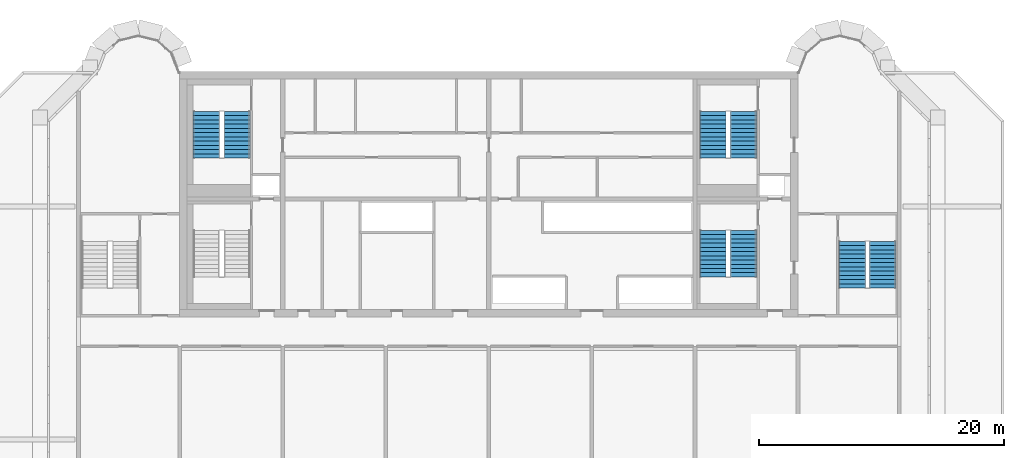
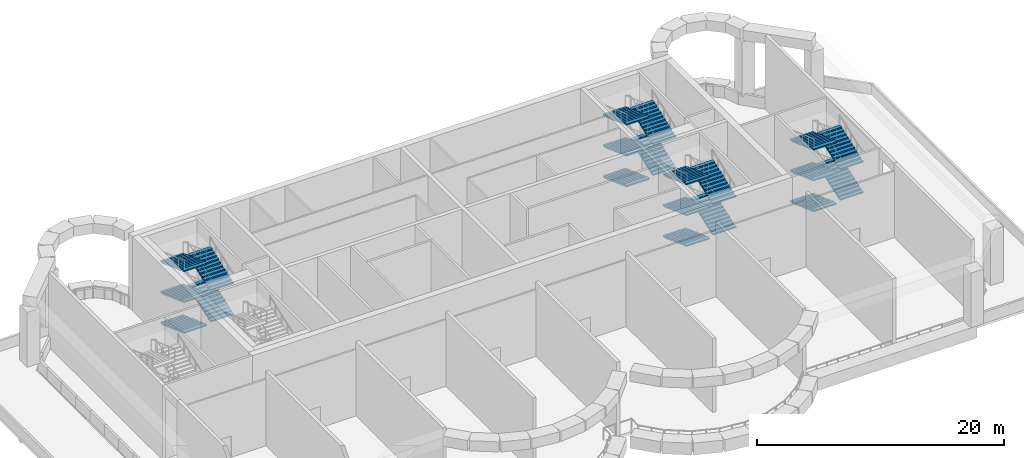
# One storey, part 6 of 11: 20 stair flights, 4 elements without a shape of their own.
"""IFC4 building model written with IfcOpenShell, lengths in metres."""

import ifcopenshell
import ifcopenshell.guid

model = None  # the IFC model being written
_history = None  # IfcOwnerHistory: only IFC2X3 demands one
_inside = {}  # id of a spatial element -> (the spatial element, [elements in it])
_under = {}  # id of a project, library or spatial element -> (it, [spatial elements below it])
_declared = {}  # id of a project -> (the project, [libraries it declares])
_typed = {}  # id of a type object -> (the type object, [elements of that type])
_made_of = {}  # id of a material, layer set ... -> (it, [elements and type objects made of it])


def new_model(schema):
    """Start an empty IFC model of exactly this schema.

    Asked for "IFC4X3", IfcOpenShell would pick the latest addendum, in which some entities
    have other attributes; the version numbers below select the first issue.
    IFC2X3 requires an IfcOwnerHistory on every rooted entity: one is made here for all.
    """
    global model, _history
    if schema == "IFC4X3":
        model = ifcopenshell.file(schema_version=(4, 3, 0, 0))
    else:
        model = ifcopenshell.file(schema=schema)
    _inside.clear()
    _under.clear()
    _declared.clear()
    _typed.clear()
    _made_of.clear()
    _history = None
    if model.schema == "IFC2X3":
        org = make("IfcOrganization", Name="unknown")
        user = make(
            "IfcPersonAndOrganization",
            ThePerson=make("IfcPerson", FamilyName="unknown"),
            TheOrganization=org,
        )
        app = make(
            "IfcApplication",
            ApplicationDeveloper=org,
            Version="unknown",
            ApplicationFullName="unknown",
            ApplicationIdentifier="unknown",
        )
        _history = make(
            "IfcOwnerHistory",
            OwningUser=user,
            OwningApplication=app,
            ChangeAction="ADDED",
            CreationDate=0,
        )
    return model


def make(cls, **values):
    """One entity of the class cls with the attributes given. An attribute that is None is left unset."""
    return model.create_entity(
        cls, **{name: value for name, value in values.items() if value is not None}
    )


def rooted(cls, **values):
    """An entity with a GlobalId (a new one), such as an element, a storey or a relation."""
    return make(cls, GlobalId=ifcopenshell.guid.new(), OwnerHistory=_history, **values)


def si_unit(unit_type, name, prefix=None):
    """IfcSIUnit, for example si_unit("LENGTHUNIT", "METRE", prefix="MILLI")."""
    return make("IfcSIUnit", UnitType=unit_type, Prefix=prefix, Name=name)


def assignment(units):
    """IfcUnitAssignment: the units of a project."""
    return None if units is None else make("IfcUnitAssignment", Units=units)


def point(xyz):
    """IfcCartesianPoint."""
    return None if xyz is None else make("IfcCartesianPoint", Coordinates=xyz)


def direction(xyz):
    """IfcDirection."""
    return None if xyz is None else make("IfcDirection", DirectionRatios=xyz)


def frame(location, z_axis=None, x_axis=None):
    """IfcAxis2Placement3D, a coordinate frame: its origin and axes. An axis left out is left unset."""
    return make(
        "IfcAxis2Placement3D",
        Location=point(location),
        Axis=direction(z_axis),
        RefDirection=direction(x_axis),
    )


def origin():
    """The frame at (0, 0, 0) with its axes left unset."""
    return frame((0.0, 0.0, 0.0))


def place(relative_to, where):
    """IfcLocalPlacement: puts the frame where relative to a parent placement (None: the world)."""
    return make(
        "IfcLocalPlacement", PlacementRelTo=relative_to, RelativePlacement=where
    )


def context(
    kind, dimensions, precision=None, world=None, true_north=None, identifier=None
):
    """IfcGeometricRepresentationContext, for example the 3D "Model" context."""
    return make(
        "IfcGeometricRepresentationContext",
        ContextIdentifier=identifier,
        ContextType=kind,
        CoordinateSpaceDimension=dimensions,
        Precision=precision,
        WorldCoordinateSystem=world,
        TrueNorth=true_north,
    )


def subcontext(parent, identifier, kind, view, scale=None):
    """IfcGeometricRepresentationSubContext, for example "Body" below "Model"."""
    return make(
        "IfcGeometricRepresentationSubContext",
        ContextIdentifier=identifier,
        ContextType=kind,
        ParentContext=parent,
        TargetScale=scale,
        TargetView=view,
    )


def project(units=None, contexts=None):
    """IfcProject with its units and contexts."""
    return rooted(
        "IfcProject",
        Name="project",
        RepresentationContexts=contexts,
        UnitsInContext=assignment(units),
    )


def spatial(cls, under=None, at=None, **own):
    """A site, building, storey or space (cls), placed at a placement, below another one or the project."""
    s = rooted(cls, ObjectPlacement=at, **own)
    if under is not None:
        _under.setdefault(under.id(), (under, []))[1].append(s)
    return s


def polyline(points):
    """IfcPolyline through the points."""
    return make("IfcPolyline", Points=[point(p) for p in points])


def outline(outer, holes=None, kind="AREA"):
    """IfcArbitraryClosedProfileDef: a profile drawn as a closed curve; with holes, ...WithVoids."""
    if holes is None:
        return make("IfcArbitraryClosedProfileDef", ProfileType=kind, OuterCurve=outer)
    return make(
        "IfcArbitraryProfileDefWithVoids",
        ProfileType=kind,
        OuterCurve=outer,
        InnerCurves=holes,
    )


def extrude(swept, where, along, depth):
    """IfcExtrudedAreaSolid: the profile swept, set in the frame where, extruded along a direction by depth."""
    return make(
        "IfcExtrudedAreaSolid",
        SweptArea=swept,
        Position=where,
        ExtrudedDirection=direction(along),
        Depth=depth,
    )


def shape(context_of_items, identifier, shape_type, items):
    """IfcShapeRepresentation: the items that make up one representation, for example the "Body"."""
    return make(
        "IfcShapeRepresentation",
        ContextOfItems=context_of_items,
        RepresentationIdentifier=identifier,
        RepresentationType=shape_type,
        Items=items,
    )


def source(mapping_origin, context_of_items, identifier, shape_type, items):
    """IfcRepresentationMap: a shape defined once, which mapped items show again and again."""
    return make(
        "IfcRepresentationMap",
        MappingOrigin=mapping_origin,
        MappedRepresentation=shape(context_of_items, identifier, shape_type, items),
    )


def transform(
    local_origin,
    x_axis=None,
    y_axis=None,
    z_axis=None,
    scale=None,
    scale2=None,
    scale3=None,
    uniform=True,
):
    """IfcCartesianTransformationOperator3D, or its non-uniform kind. x_axis, y_axis, z_axis: its Axis1, 2, 3."""
    if uniform:
        return make(
            "IfcCartesianTransformationOperator3D",
            Axis1=direction(x_axis),
            Axis2=direction(y_axis),
            LocalOrigin=point(local_origin),
            Scale=scale,
            Axis3=direction(z_axis),
        )
    return make(
        "IfcCartesianTransformationOperator3DnonUniform",
        Axis1=direction(x_axis),
        Axis2=direction(y_axis),
        LocalOrigin=point(local_origin),
        Scale=scale,
        Axis3=direction(z_axis),
        Scale2=scale2,
        Scale3=scale3,
    )


def mapped(mapping_source, mapping_target):
    """IfcMappedItem: shows the shape of a source again, moved by a transform."""
    return make(
        "IfcMappedItem", MappingSource=mapping_source, MappingTarget=mapping_target
    )


def material(Name=None, Category=None):
    """IfcMaterial."""
    return make("IfcMaterial", Name=Name, Category=Category)


def made_of(thing, what):
    """Note that an element or type object is made of a material, layer set ...; save() writes the relation."""
    if what is not None:
        _made_of.setdefault(what.id(), (what, []))[1].append(thing)
    return thing


def type_object(cls, material=None, **own):
    """A type object (cls), such as IfcWallType, which elements share."""
    return made_of(rooted(cls, **own), material)


def element(
    cls,
    number,
    at=None,
    inside=None,
    cuts=None,
    type_object=None,
    material=None,
    context=None,
    identifier="Body",
    shape_type=None,
    held_by="IfcProductDefinitionShape",
    body=None,
    shapes=None,
    **own,
):
    """One element of the class cls, such as IfcWall. Its Tag is "e" and its number.

    at: its placement. inside: the storey or other place that contains it. cuts: it is an
    opening in that element (IfcRelVoidsElement). A single representation is given by context,
    identifier, shape_type and body (its items); several are given by shapes. held_by: the class
    of the entity that holds the representations. save() writes the other relations.
    """
    e = rooted(cls, Tag="e%d" % number, ObjectPlacement=at, **own)
    if body is not None:
        shapes = [shape(context, identifier, shape_type, body)]
    if shapes is not None:
        e.Representation = make(held_by, Representations=shapes)
    if inside is not None:
        _inside.setdefault(inside.id(), (inside, []))[1].append(e)
    if cuts is not None:
        rooted(
            "IfcRelVoidsElement", RelatingBuildingElement=cuts, RelatedOpeningElement=e
        )
    if type_object is not None:
        _typed.setdefault(type_object.id(), (type_object, []))[1].append(e)
    return made_of(e, material)


def aggregate(whole, parts):
    """IfcRelAggregates: a whole, such as a stair, and the parts it consists of."""
    return rooted("IfcRelAggregates", RelatingObject=whole, RelatedObjects=parts)


def save(model, path):
    """Write the relations noted so far, then the file.

    IfcRelAggregates (storeys below a building ...), IfcRelContainedInSpatialStructure (elements
    in a storey), IfcRelDefinesByType, IfcRelAssociatesMaterial and IfcRelDeclares: one each for
    every whole, place, type object, material and project.
    """
    for whole, parts in _under.values():
        aggregate(whole, parts)
    for where, things in _inside.values():
        rooted(
            "IfcRelContainedInSpatialStructure",
            RelatedElements=things,
            RelatingStructure=where,
        )
    for kind, things in _typed.values():
        rooted("IfcRelDefinesByType", RelatedObjects=things, RelatingType=kind)
    for what, things in _made_of.values():
        rooted("IfcRelAssociatesMaterial", RelatedObjects=things, RelatingMaterial=what)
    for by, libraries in _declared.values():
        rooted("IfcRelDeclares", RelatingContext=by, RelatedDefinitions=libraries)
    model.write(path)


model = new_model("IFC4")

# Units and contexts
model_context = context("Model", 3, precision=1e-05, world=origin(), true_north=direction((0.0, 1.0)))
body_context = subcontext(model_context, "Body", "Model", "MODEL_VIEW")
ifc_project = project(units=[si_unit("LENGTHUNIT", "METRE"), si_unit("AREAUNIT", "SQUARE_METRE"), si_unit("VOLUMEUNIT", "CUBIC_METRE"), si_unit("PLANEANGLEUNIT", "RADIAN"), si_unit("MASSUNIT", "GRAM", prefix="KILO")], contexts=[model_context])

# Site, building, storey
site_placement = place(None, origin())
site = spatial("IfcSite", under=ifc_project, at=site_placement, CompositionType="ELEMENT")
building_placement = place(site_placement, origin())
building = spatial("IfcBuilding", under=site, at=building_placement, Name="Vanashikhar Sky Hotel", CompositionType="ELEMENT")
storey_placement = place(building_placement, frame((0.0, 0.0, 206.39990234375)))
storey = spatial("IfcBuildingStorey", under=building, at=storey_placement, Name="L50", CompositionType="ELEMENT", Elevation=206.39990234375)

# Stair, stair flights
ifc_material = material(Name="Concrete M40", Category="concrete")
stair_type = type_object("IfcStairType", Name="Exit stair 2150", PredefinedType="DOUBLE_RETURN_STAIR", material=ifc_material)
stair_1_placement = place(storey_placement, origin())
stair_1 = element("IfcStair", 1, at=stair_1_placement, inside=storey, type_object=stair_type, Name="L50 Exit stair 2", PredefinedType="DOUBLE_RETURN_STAIR")
stair_flight_type = type_object("IfcStairFlightType", Name="Stair flight 2150", PredefinedType="STRAIGHT", material=ifc_material)
shared_shape = source(origin(), body_context, "Body", "SweptSolid", [
    extrude(outline(polyline([(0.0, 0.0), (0.0, 0.126708984375), (0.345458984375, 0.126708984375), (0.345458984375, 0.25341796875), (0.69091796875, 0.25341796875), (0.69091796875, 0.3798828125), (1.036376953125, 0.3798828125), (1.036376953125, 0.506591796875), (1.3818359375, 0.506591796875), (1.3818359375, 0.63330078125), (1.727294921875, 0.63330078125), (1.727294921875, 0.760009765625), (2.07275390625, 0.760009765625), (2.07275390625, 0.88671875), (2.418212890625, 0.88671875), (2.418212890625, 1.013427734375), (2.763671875, 1.013427734375), (2.763671875, 1.139892578125), (3.109130859375, 1.139892578125), (3.109130859375, 1.2666015625), (3.45458984375, 1.2666015625), (3.45458984375, 1.393310546875), (3.800048828125, 1.393310546875), (3.800048828125, 1.52001953125), (3.800048828125, 1.265380859375), (0.348876953125, 0.0), (0.0, 0.0)])), frame((0.0, 1.074951171875, 0.0), z_axis=(0.0, -1.0, 0.0), x_axis=(1.0, 0.0, 0.0)), (0.0, 0.0, 1.0), 2.14990234375),
])
stair_flight_1_placement = place(storey_placement, frame((68.675048828125, 29.050048828125, 0.0), z_axis=(0.0, 0.0, 1.0), x_axis=(0.0, -1.0, 0.0)))
stair_flight_1 = element("IfcStairFlight", 2, at=stair_flight_1_placement, type_object=stair_flight_type, Name="ST-C2 flight 1", NumberOfRisers=12, NumberOfTreads=11, PredefinedType="STRAIGHT", RiserHeight=0.126666667, TreadLength=0.345454545, context=body_context, shape_type="MappedRepresentation", body=[
    mapped(shared_shape, transform((0.0, 0.0, 0.0), scale=1.0)),
])
stair_flight_2_placement = place(storey_placement, frame((71.175048828125, 25.25, 1.52001953125), z_axis=(0.0, 0.0, 1.0), x_axis=(0.0, 1.0, 0.0)))
stair_flight_2 = element("IfcStairFlight", 3, at=stair_flight_2_placement, type_object=stair_flight_type, Name="ST-C2 flight 2", NumberOfRisers=12, NumberOfTreads=11, PredefinedType="STRAIGHT", RiserHeight=0.126666667, TreadLength=0.345454545, context=body_context, shape_type="MappedRepresentation", body=[
    mapped(shared_shape, transform((0.0, 0.0, 0.0), scale=1.0)),
])
stair_flight_3_placement = place(storey_placement, frame((68.675048828125, 29.050048828125, 3.0400390625), z_axis=(0.0, 0.0, 1.0), x_axis=(0.0, -1.0, 0.0)))
stair_flight_3 = element("IfcStairFlight", 4, at=stair_flight_3_placement, type_object=stair_flight_type, Name="ST-C2 flight 3", NumberOfRisers=12, NumberOfTreads=11, PredefinedType="STRAIGHT", RiserHeight=0.126666667, TreadLength=0.345454545, context=body_context, shape_type="MappedRepresentation", body=[
    mapped(shared_shape, transform((0.0, 0.0, 0.0), scale=1.0)),
])
stair_flight_4_placement = place(storey_placement, frame((71.175048828125, 25.25, 4.56005859375), z_axis=(0.0, 0.0, 1.0), x_axis=(0.0, 1.0, 0.0)))
stair_flight_4 = element("IfcStairFlight", 5, at=stair_flight_4_placement, type_object=stair_flight_type, Name="ST-C2 flight 4", NumberOfRisers=12, NumberOfTreads=11, PredefinedType="STRAIGHT", RiserHeight=0.126666667, TreadLength=0.345454545, context=body_context, shape_type="MappedRepresentation", body=[
    mapped(shared_shape, transform((0.0, 0.0, 0.0), scale=1.0)),
])
stair_flight_5_placement = place(storey_placement, frame((68.675048828125, 29.050048828125, 6.080078125), z_axis=(0.0, 0.0, 1.0), x_axis=(0.0, -1.0, 0.0)))
stair_flight_5 = element("IfcStairFlight", 6, at=stair_flight_5_placement, type_object=stair_flight_type, Name="ST-C2 flight 5", NumberOfRisers=12, NumberOfTreads=11, PredefinedType="STRAIGHT", RiserHeight=0.126666667, TreadLength=0.345454545, context=body_context, shape_type="MappedRepresentation", body=[
    mapped(shared_shape, transform((0.0, 0.0, 0.0), scale=1.0)),
])
aggregate(stair_1, [stair_flight_1, stair_flight_2, stair_flight_3, stair_flight_4, stair_flight_5])

stair_2_placement = place(storey_placement, origin())
stair_2 = element("IfcStair", 7, at=stair_2_placement, inside=storey, type_object=stair_type, Name="L50 Exit stair 4", PredefinedType="DOUBLE_RETURN_STAIR")
stair_flight_6_placement = place(storey_placement, frame((80.02490234375, 28.14990234375, 0.0), z_axis=(0.0, 0.0, 1.0), x_axis=(0.0, -1.0, 0.0)))
stair_flight_6 = element("IfcStairFlight", 8, at=stair_flight_6_placement, type_object=stair_flight_type, Name="ST-E flight 1", NumberOfRisers=12, NumberOfTreads=11, PredefinedType="STRAIGHT", RiserHeight=0.126666667, TreadLength=0.345454545, context=body_context, shape_type="MappedRepresentation", body=[
    mapped(shared_shape, transform((0.0, 0.0, 0.0), scale=1.0)),
])
stair_flight_7_placement = place(storey_placement, frame((82.52490234375, 24.35009765625, 1.52001953125), z_axis=(0.0, 0.0, 1.0), x_axis=(0.0, 1.0, 0.0)))
stair_flight_7 = element("IfcStairFlight", 9, at=stair_flight_7_placement, type_object=stair_flight_type, Name="ST-E flight 2", NumberOfRisers=12, NumberOfTreads=11, PredefinedType="STRAIGHT", RiserHeight=0.126666667, TreadLength=0.345454545, context=body_context, shape_type="MappedRepresentation", body=[
    mapped(shared_shape, transform((0.0, 0.0, 0.0), scale=1.0)),
])
stair_flight_8_placement = place(storey_placement, frame((80.02490234375, 28.14990234375, 3.0400390625), z_axis=(0.0, 0.0, 1.0), x_axis=(0.0, -1.0, 0.0)))
stair_flight_8 = element("IfcStairFlight", 10, at=stair_flight_8_placement, type_object=stair_flight_type, Name="ST-E flight 3", NumberOfRisers=12, NumberOfTreads=11, PredefinedType="STRAIGHT", RiserHeight=0.126666667, TreadLength=0.345454545, context=body_context, shape_type="MappedRepresentation", body=[
    mapped(shared_shape, transform((0.0, 0.0, 0.0), scale=1.0)),
])
stair_flight_9_placement = place(storey_placement, frame((82.52490234375, 24.35009765625, 4.56005859375), z_axis=(0.0, 0.0, 1.0), x_axis=(0.0, 1.0, 0.0)))
stair_flight_9 = element("IfcStairFlight", 11, at=stair_flight_9_placement, type_object=stair_flight_type, Name="ST-E flight 4", NumberOfRisers=12, NumberOfTreads=11, PredefinedType="STRAIGHT", RiserHeight=0.126666667, TreadLength=0.345454545, context=body_context, shape_type="MappedRepresentation", body=[
    mapped(shared_shape, transform((0.0, 0.0, 0.0), scale=1.0)),
])
stair_flight_10_placement = place(storey_placement, frame((80.02490234375, 28.14990234375, 6.080078125), z_axis=(0.0, 0.0, 1.0), x_axis=(0.0, -1.0, 0.0)))
stair_flight_10 = element("IfcStairFlight", 12, at=stair_flight_10_placement, type_object=stair_flight_type, Name="ST-E flight 5", NumberOfRisers=12, NumberOfTreads=11, PredefinedType="STRAIGHT", RiserHeight=0.126666667, TreadLength=0.345454545, context=body_context, shape_type="MappedRepresentation", body=[
    mapped(shared_shape, transform((0.0, 0.0, 0.0), scale=1.0)),
])
aggregate(stair_2, [stair_flight_6, stair_flight_7, stair_flight_8, stair_flight_9, stair_flight_10])

stair_3_placement = place(storey_placement, origin())
stair_3 = element("IfcStair", 13, at=stair_3_placement, inside=storey, type_object=stair_type, Name="L50 Exit stair 5", PredefinedType="DOUBLE_RETURN_STAIR")
stair_flight_11_placement = place(storey_placement, frame((27.375, 38.75, 0.0), z_axis=(0.0, 0.0, 1.0), x_axis=(0.0, -1.0, 0.0)))
stair_flight_11 = element("IfcStairFlight", 14, at=stair_flight_11_placement, type_object=stair_flight_type, Name="ST-C3 flight 1", NumberOfRisers=12, NumberOfTreads=11, PredefinedType="STRAIGHT", RiserHeight=0.126666667, TreadLength=0.345454545, context=body_context, shape_type="MappedRepresentation", body=[
    mapped(shared_shape, transform((0.0, 0.0, 0.0), scale=1.0)),
])
stair_flight_12_placement = place(storey_placement, frame((29.875, 34.949951171875, 1.52001953125), z_axis=(0.0, 0.0, 1.0), x_axis=(0.0, 1.0, 0.0)))
stair_flight_12 = element("IfcStairFlight", 15, at=stair_flight_12_placement, type_object=stair_flight_type, Name="ST-C3 flight 2", NumberOfRisers=12, NumberOfTreads=11, PredefinedType="STRAIGHT", RiserHeight=0.126666667, TreadLength=0.345454545, context=body_context, shape_type="MappedRepresentation", body=[
    mapped(shared_shape, transform((0.0, 0.0, 0.0), scale=1.0)),
])
stair_flight_13_placement = place(storey_placement, frame((27.375, 38.75, 3.0400390625), z_axis=(0.0, 0.0, 1.0), x_axis=(0.0, -1.0, 0.0)))
stair_flight_13 = element("IfcStairFlight", 16, at=stair_flight_13_placement, type_object=stair_flight_type, Name="ST-C3 flight 3", NumberOfRisers=12, NumberOfTreads=11, PredefinedType="STRAIGHT", RiserHeight=0.126666667, TreadLength=0.345454545, context=body_context, shape_type="MappedRepresentation", body=[
    mapped(shared_shape, transform((0.0, 0.0, 0.0), scale=1.0)),
])
stair_flight_14_placement = place(storey_placement, frame((29.875, 34.949951171875, 4.56005859375), z_axis=(0.0, 0.0, 1.0), x_axis=(0.0, 1.0, 0.0)))
stair_flight_14 = element("IfcStairFlight", 17, at=stair_flight_14_placement, type_object=stair_flight_type, Name="ST-C3 flight 4", NumberOfRisers=12, NumberOfTreads=11, PredefinedType="STRAIGHT", RiserHeight=0.126666667, TreadLength=0.345454545, context=body_context, shape_type="MappedRepresentation", body=[
    mapped(shared_shape, transform((0.0, 0.0, 0.0), scale=1.0)),
])
stair_flight_15_placement = place(storey_placement, frame((27.375, 38.75, 6.080078125), z_axis=(0.0, 0.0, 1.0), x_axis=(0.0, -1.0, 0.0)))
stair_flight_15 = element("IfcStairFlight", 18, at=stair_flight_15_placement, type_object=stair_flight_type, Name="ST-C3 flight 5", NumberOfRisers=12, NumberOfTreads=11, PredefinedType="STRAIGHT", RiserHeight=0.126666667, TreadLength=0.345454545, context=body_context, shape_type="MappedRepresentation", body=[
    mapped(shared_shape, transform((0.0, 0.0, 0.0), scale=1.0)),
])
aggregate(stair_3, [stair_flight_11, stair_flight_12, stair_flight_13, stair_flight_14, stair_flight_15])

stair_4_placement = place(storey_placement, origin())
stair_4 = element("IfcStair", 19, at=stair_4_placement, inside=storey, type_object=stair_type, Name="L50 Exit stair 6", PredefinedType="DOUBLE_RETURN_STAIR")
stair_flight_16_placement = place(storey_placement, frame((68.675048828125, 38.75, 0.0), z_axis=(0.0, 0.0, 1.0), x_axis=(0.0, -1.0, 0.0)))
stair_flight_16 = element("IfcStairFlight", 20, at=stair_flight_16_placement, type_object=stair_flight_type, Name="ST-C4 flight 1", NumberOfRisers=12, NumberOfTreads=11, PredefinedType="STRAIGHT", RiserHeight=0.126666667, TreadLength=0.345454545, context=body_context, shape_type="MappedRepresentation", body=[
    mapped(shared_shape, transform((0.0, 0.0, 0.0), scale=1.0)),
])
stair_flight_17_placement = place(storey_placement, frame((71.175048828125, 34.949951171875, 1.52001953125), z_axis=(0.0, 0.0, 1.0), x_axis=(0.0, 1.0, 0.0)))
stair_flight_17 = element("IfcStairFlight", 21, at=stair_flight_17_placement, type_object=stair_flight_type, Name="ST-C4 flight 2", NumberOfRisers=12, NumberOfTreads=11, PredefinedType="STRAIGHT", RiserHeight=0.126666667, TreadLength=0.345454545, context=body_context, shape_type="MappedRepresentation", body=[
    mapped(shared_shape, transform((0.0, 0.0, 0.0), scale=1.0)),
])
stair_flight_18_placement = place(storey_placement, frame((68.675048828125, 38.75, 3.0400390625), z_axis=(0.0, 0.0, 1.0), x_axis=(0.0, -1.0, 0.0)))
stair_flight_18 = element("IfcStairFlight", 22, at=stair_flight_18_placement, type_object=stair_flight_type, Name="ST-C4 flight 3", NumberOfRisers=12, NumberOfTreads=11, PredefinedType="STRAIGHT", RiserHeight=0.126666667, TreadLength=0.345454545, context=body_context, shape_type="MappedRepresentation", body=[
    mapped(shared_shape, transform((0.0, 0.0, 0.0), scale=1.0)),
])
stair_flight_19_placement = place(storey_placement, frame((71.175048828125, 34.949951171875, 4.56005859375), z_axis=(0.0, 0.0, 1.0), x_axis=(0.0, 1.0, 0.0)))
stair_flight_19 = element("IfcStairFlight", 23, at=stair_flight_19_placement, type_object=stair_flight_type, Name="ST-C4 flight 4", NumberOfRisers=12, NumberOfTreads=11, PredefinedType="STRAIGHT", RiserHeight=0.126666667, TreadLength=0.345454545, context=body_context, shape_type="MappedRepresentation", body=[
    mapped(shared_shape, transform((0.0, 0.0, 0.0), scale=1.0)),
])
stair_flight_20_placement = place(storey_placement, frame((68.675048828125, 38.75, 6.080078125), z_axis=(0.0, 0.0, 1.0), x_axis=(0.0, -1.0, 0.0)))
stair_flight_20 = element("IfcStairFlight", 24, at=stair_flight_20_placement, type_object=stair_flight_type, Name="ST-C4 flight 5", NumberOfRisers=12, NumberOfTreads=11, PredefinedType="STRAIGHT", RiserHeight=0.126666667, TreadLength=0.345454545, context=body_context, shape_type="MappedRepresentation", body=[
    mapped(shared_shape, transform((0.0, 0.0, 0.0), scale=1.0)),
])
aggregate(stair_4, [stair_flight_16, stair_flight_17, stair_flight_18, stair_flight_19, stair_flight_20])

save(model, "model.ifc")
